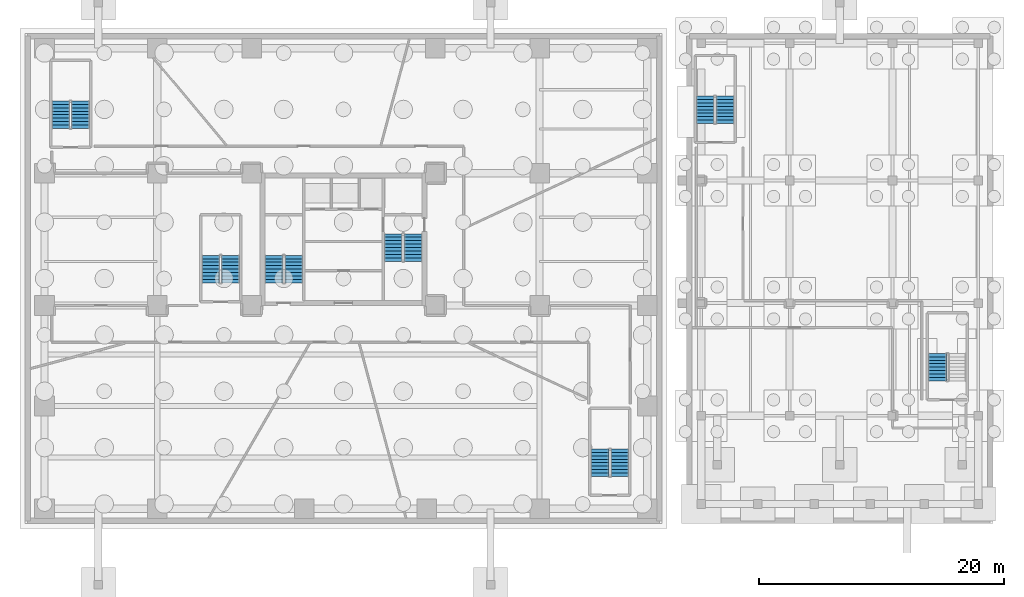
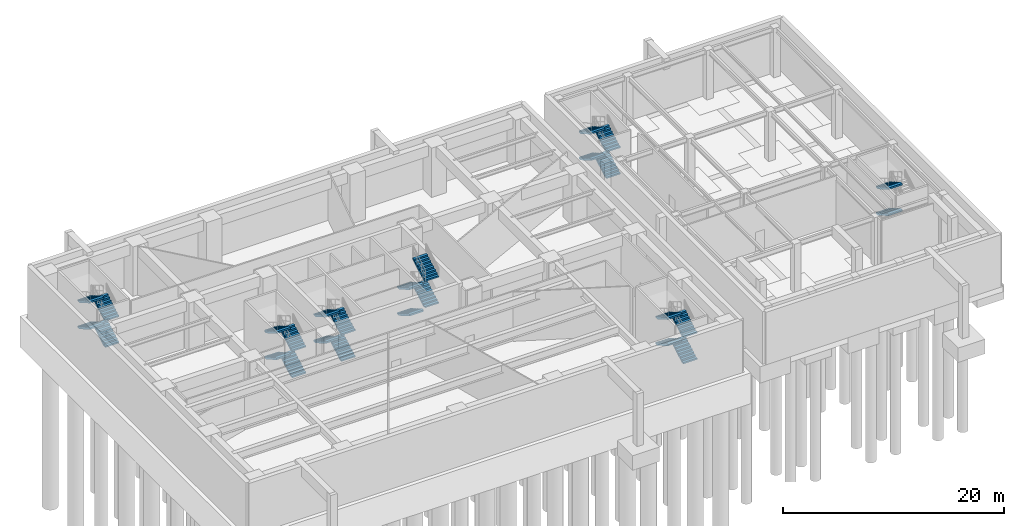
# One storey, part 9 of 15: 26 stair flights, 7 elements without a shape of their own.
"""IFC4 building model written with IfcOpenShell, lengths in metres."""

from ifc_helpers import new_model, si_unit, direction, frame, origin, place, context, subcontext, project, spatial, polyline, outline, extrude, material, layer, layer_set, type_object, element, aggregate, save


model = new_model("IFC4")

# Units and contexts
model_context = context("Model", 3, precision=1e-05, world=origin(), true_north=direction((0.0, 1.0)))
body_context = subcontext(model_context, "Body", "Model", "MODEL_VIEW")
ifc_project = project(units=[si_unit("LENGTHUNIT", "METRE"), si_unit("AREAUNIT", "SQUARE_METRE"), si_unit("VOLUMEUNIT", "CUBIC_METRE"), si_unit("PLANEANGLEUNIT", "RADIAN"), si_unit("MASSUNIT", "GRAM", prefix="KILO")], contexts=[model_context])

# Site, building, storey
site_placement = place(None, origin())
site = spatial("IfcSite", under=ifc_project, at=site_placement, CompositionType="ELEMENT")
building_placement = place(site_placement, origin())
building = spatial("IfcBuilding", under=site, at=building_placement, Name="Talar Marvaseh", CompositionType="ELEMENT")
storey_placement = place(building_placement, frame((0.0, 0.0, -11.60009765625)))
storey = spatial("IfcBuildingStorey", under=building, at=storey_placement, Name="B02", CompositionType="ELEMENT", Elevation=-11.60009765625)

# Stair, stair flights
ifc_material = material(Name="Concrete C40/50", Category="concrete")
stair_type = type_object("IfcStairType", Name="Reinforced Concrete Half-Turn Exit Stair Type A", PredefinedType="HALF_TURN_STAIR", material=ifc_material)
stair_1_placement = place(storey_placement, origin())
stair_1 = element("IfcStair", 1, at=stair_1_placement, inside=storey, type_object=stair_type, Name="B02 Tower West Core Exit Stair", PredefinedType="HALF_TURN_STAIR")
ifc_layer = layer(ifc_material, 0.18505859375)
ifc_layer_set = layer_set([ifc_layer], Name="Concrete C40/50")
stair_flight_type = type_object("IfcStairFlightType", Name="Reinforced Concrete Heavy Podium Stair Flight 185", PredefinedType="STRAIGHT", material=ifc_layer_set)
stair_flight_1_placement = place(storey_placement, frame((21.93505859375, 27.64990234375, 0.0), z_axis=(0.0, 0.0, 1.0), x_axis=(0.0, 1.0, 0.0)))
stair_flight_1 = element("IfcStairFlight", 2, at=stair_flight_1_placement, type_object=stair_flight_type, Name="ST-1 flight 1", NumberOfRisers=9, NumberOfTreads=8, PredefinedType="STRAIGHT", RiserHeight=0.161111111, TreadLength=0.28, context=body_context, shape_type="SweptSolid", body=[
    extrude(outline(polyline([(0.0, 0.0), (0.0, 0.1611328125), (0.280029296875, 0.1611328125), (0.280029296875, 0.322265625), (0.56005859375, 0.322265625), (0.56005859375, 0.4833984375), (0.840087890625, 0.4833984375), (0.840087890625, 0.64453125), (1.1201171875, 0.64453125), (1.1201171875, 0.8056640625), (1.39990234375, 0.8056640625), (1.39990234375, 0.966552734375), (1.679931640625, 0.966552734375), (1.679931640625, 1.127685546875), (1.9599609375, 1.127685546875), (1.9599609375, 1.288818359375), (2.239990234375, 1.288818359375), (2.239990234375, 1.449951171875), (2.239990234375, 1.1044921875), (0.320556640625, 0.0), (0.0, 0.0)])), frame((0.0, 0.72509765625, 0.0), z_axis=(0.0, -1.0, 0.0), x_axis=(1.0, 0.0, 0.0)), (0.0, 0.0, 1.0), 1.449951171875),
])
stair_flight_2_placement = place(storey_placement, frame((20.324951171875, 29.889892578125, 1.4501953125), z_axis=(0.0, 0.0, 1.0), x_axis=(0.0, -1.0, 0.0)))
stair_flight_2 = element("IfcStairFlight", 3, at=stair_flight_2_placement, type_object=stair_flight_type, Name="ST-1 flight 2", NumberOfRisers=9, NumberOfTreads=8, PredefinedType="STRAIGHT", RiserHeight=0.161111111, TreadLength=0.28, context=body_context, shape_type="SweptSolid", body=[
    extrude(outline(polyline([(0.0, 0.0), (0.0, 0.1611328125), (0.280029296875, 0.1611328125), (0.280029296875, 0.322265625), (0.56005859375, 0.322265625), (0.56005859375, 0.4833984375), (0.840087890625, 0.4833984375), (0.840087890625, 0.64453125), (1.1201171875, 0.64453125), (1.1201171875, 0.8056640625), (1.39990234375, 0.8056640625), (1.39990234375, 0.966552734375), (1.679931640625, 0.966552734375), (1.679931640625, 1.127685546875), (1.9599609375, 1.127685546875), (1.9599609375, 1.288818359375), (2.239990234375, 1.288818359375), (2.239990234375, 1.449951171875), (2.239990234375, 1.1044921875), (0.320556640625, 0.0), (0.0, 0.0)])), frame((0.0, 0.72509765625, 0.0), z_axis=(0.0, -1.0, 0.0), x_axis=(1.0, 0.0, 0.0)), (0.0, 0.0, 1.0), 1.449951171875),
])
stair_flight_3_placement = place(storey_placement, frame((21.93505859375, 27.64990234375, 2.900146484375), z_axis=(0.0, 0.0, 1.0), x_axis=(0.0, 1.0, 0.0)))
stair_flight_3 = element("IfcStairFlight", 4, at=stair_flight_3_placement, type_object=stair_flight_type, Name="ST-1 flight 3", NumberOfRisers=9, NumberOfTreads=8, PredefinedType="STRAIGHT", RiserHeight=0.161111111, TreadLength=0.28, context=body_context, shape_type="SweptSolid", body=[
    extrude(outline(polyline([(0.0, 0.0), (0.0, 0.1611328125), (0.280029296875, 0.1611328125), (0.280029296875, 0.322265625), (0.56005859375, 0.322265625), (0.56005859375, 0.4833984375), (0.840087890625, 0.4833984375), (0.840087890625, 0.64453125), (1.1201171875, 0.64453125), (1.1201171875, 0.8056640625), (1.39990234375, 0.8056640625), (1.39990234375, 0.966552734375), (1.679931640625, 0.966552734375), (1.679931640625, 1.127685546875), (1.9599609375, 1.127685546875), (1.9599609375, 1.288818359375), (2.239990234375, 1.288818359375), (2.239990234375, 1.449951171875), (2.239990234375, 1.1044921875), (0.320556640625, 0.0), (0.0, 0.0)])), frame((0.0, 0.72509765625, 0.0), z_axis=(0.0, -1.0, 0.0), x_axis=(1.0, 0.0, 0.0)), (0.0, 0.0, 1.0), 1.449951171875),
])
stair_flight_4_placement = place(storey_placement, frame((20.324951171875, 29.889892578125, 4.35009765625), z_axis=(0.0, 0.0, 1.0), x_axis=(0.0, -1.0, 0.0)))
stair_flight_4 = element("IfcStairFlight", 5, at=stair_flight_4_placement, type_object=stair_flight_type, Name="ST-1 flight 4", NumberOfRisers=9, NumberOfTreads=8, PredefinedType="STRAIGHT", RiserHeight=0.161111111, TreadLength=0.28, context=body_context, shape_type="SweptSolid", body=[
    extrude(outline(polyline([(0.0, 0.0), (0.0, 0.1611328125), (0.280029296875, 0.1611328125), (0.280029296875, 0.322265625), (0.56005859375, 0.322265625), (0.56005859375, 0.4833984375), (0.840087890625, 0.4833984375), (0.840087890625, 0.64453125), (1.1201171875, 0.64453125), (1.1201171875, 0.8056640625), (1.39990234375, 0.8056640625), (1.39990234375, 0.966552734375), (1.679931640625, 0.966552734375), (1.679931640625, 1.127685546875), (1.9599609375, 1.127685546875), (1.9599609375, 1.288818359375), (2.239990234375, 1.288818359375), (2.239990234375, 1.449951171875), (2.239990234375, 1.1044921875), (0.320556640625, 0.0), (0.0, 0.0)])), frame((0.0, 0.72509765625, 0.0), z_axis=(0.0, -1.0, 0.0), x_axis=(1.0, 0.0, 0.0)), (0.0, 0.0, 1.0), 1.449951171875),
])
aggregate(stair_1, [stair_flight_1, stair_flight_2, stair_flight_3, stair_flight_4])

stair_2_placement = place(storey_placement, origin())
stair_2 = element("IfcStair", 6, at=stair_2_placement, inside=storey, type_object=stair_type, Name="B02 Tower East Core Exit Stair", PredefinedType="HALF_TURN_STAIR")
stair_flight_5_placement = place(storey_placement, frame((30.06494140625, 31.64990234375, 0.0), z_axis=(0.0, 0.0, 1.0), x_axis=(0.0, -1.0, 0.0)))
stair_flight_5 = element("IfcStairFlight", 7, at=stair_flight_5_placement, type_object=stair_flight_type, Name="ST-2 flight 1", NumberOfRisers=9, NumberOfTreads=8, PredefinedType="STRAIGHT", RiserHeight=0.161111111, TreadLength=0.28, context=body_context, shape_type="SweptSolid", body=[
    extrude(outline(polyline([(0.0, 0.0), (0.0, 0.1611328125), (0.280029296875, 0.1611328125), (0.280029296875, 0.322265625), (0.56005859375, 0.322265625), (0.56005859375, 0.4833984375), (0.840087890625, 0.4833984375), (0.840087890625, 0.64453125), (1.1201171875, 0.64453125), (1.1201171875, 0.8056640625), (1.39990234375, 0.8056640625), (1.39990234375, 0.966552734375), (1.679931640625, 0.966552734375), (1.679931640625, 1.127685546875), (1.9599609375, 1.127685546875), (1.9599609375, 1.288818359375), (2.239990234375, 1.288818359375), (2.239990234375, 1.449951171875), (2.239990234375, 1.1044921875), (0.320556640625, 0.0), (0.0, 0.0)])), frame((0.0, 0.72509765625, 0.0), z_axis=(0.0, -1.0, 0.0), x_axis=(1.0, 0.0, 0.0)), (0.0, 0.0, 1.0), 1.449951171875),
])
stair_flight_6_placement = place(storey_placement, frame((31.675048828125, 29.409912109375, 1.4501953125), z_axis=(0.0, 0.0, 1.0), x_axis=(0.0, 1.0, 0.0)))
stair_flight_6 = element("IfcStairFlight", 8, at=stair_flight_6_placement, type_object=stair_flight_type, Name="ST-2 flight 2", NumberOfRisers=9, NumberOfTreads=8, PredefinedType="STRAIGHT", RiserHeight=0.161111111, TreadLength=0.28, context=body_context, shape_type="SweptSolid", body=[
    extrude(outline(polyline([(0.0, 0.0), (0.0, 0.1611328125), (0.280029296875, 0.1611328125), (0.280029296875, 0.322265625), (0.56005859375, 0.322265625), (0.56005859375, 0.4833984375), (0.840087890625, 0.4833984375), (0.840087890625, 0.64453125), (1.1201171875, 0.64453125), (1.1201171875, 0.8056640625), (1.39990234375, 0.8056640625), (1.39990234375, 0.966552734375), (1.679931640625, 0.966552734375), (1.679931640625, 1.127685546875), (1.9599609375, 1.127685546875), (1.9599609375, 1.288818359375), (2.239990234375, 1.288818359375), (2.239990234375, 1.449951171875), (2.239990234375, 1.1044921875), (0.320556640625, 0.0), (0.0, 0.0)])), frame((0.0, 0.72509765625, 0.0), z_axis=(0.0, -1.0, 0.0), x_axis=(1.0, 0.0, 0.0)), (0.0, 0.0, 1.0), 1.449951171875),
])
stair_flight_7_placement = place(storey_placement, frame((30.06494140625, 31.64990234375, 2.900146484375), z_axis=(0.0, 0.0, 1.0), x_axis=(0.0, -1.0, 0.0)))
stair_flight_7 = element("IfcStairFlight", 9, at=stair_flight_7_placement, type_object=stair_flight_type, Name="ST-2 flight 3", NumberOfRisers=9, NumberOfTreads=8, PredefinedType="STRAIGHT", RiserHeight=0.161111111, TreadLength=0.28, context=body_context, shape_type="SweptSolid", body=[
    extrude(outline(polyline([(0.0, 0.0), (0.0, 0.1611328125), (0.280029296875, 0.1611328125), (0.280029296875, 0.322265625), (0.56005859375, 0.322265625), (0.56005859375, 0.4833984375), (0.840087890625, 0.4833984375), (0.840087890625, 0.64453125), (1.1201171875, 0.64453125), (1.1201171875, 0.8056640625), (1.39990234375, 0.8056640625), (1.39990234375, 0.966552734375), (1.679931640625, 0.966552734375), (1.679931640625, 1.127685546875), (1.9599609375, 1.127685546875), (1.9599609375, 1.288818359375), (2.239990234375, 1.288818359375), (2.239990234375, 1.449951171875), (2.239990234375, 1.1044921875), (0.320556640625, 0.0), (0.0, 0.0)])), frame((0.0, 0.72509765625, 0.0), z_axis=(0.0, -1.0, 0.0), x_axis=(1.0, 0.0, 0.0)), (0.0, 0.0, 1.0), 1.449951171875),
])
stair_flight_8_placement = place(storey_placement, frame((31.675048828125, 29.409912109375, 4.35009765625), z_axis=(0.0, 0.0, 1.0), x_axis=(0.0, 1.0, 0.0)))
stair_flight_8 = element("IfcStairFlight", 10, at=stair_flight_8_placement, type_object=stair_flight_type, Name="ST-2 flight 4", NumberOfRisers=9, NumberOfTreads=8, PredefinedType="STRAIGHT", RiserHeight=0.161111111, TreadLength=0.28, context=body_context, shape_type="SweptSolid", body=[
    extrude(outline(polyline([(0.0, 0.0), (0.0, 0.1611328125), (0.280029296875, 0.1611328125), (0.280029296875, 0.322265625), (0.56005859375, 0.322265625), (0.56005859375, 0.4833984375), (0.840087890625, 0.4833984375), (0.840087890625, 0.64453125), (1.1201171875, 0.64453125), (1.1201171875, 0.8056640625), (1.39990234375, 0.8056640625), (1.39990234375, 0.966552734375), (1.679931640625, 0.966552734375), (1.679931640625, 1.127685546875), (1.9599609375, 1.127685546875), (1.9599609375, 1.288818359375), (2.239990234375, 1.288818359375), (2.239990234375, 1.449951171875), (2.239990234375, 1.1044921875), (0.320556640625, 0.0), (0.0, 0.0)])), frame((0.0, 0.72509765625, 0.0), z_axis=(0.0, -1.0, 0.0), x_axis=(1.0, 0.0, 0.0)), (0.0, 0.0, 1.0), 1.449951171875),
])
aggregate(stair_2, [stair_flight_5, stair_flight_6, stair_flight_7, stair_flight_8])

stair_3_placement = place(storey_placement, origin())
stair_3 = element("IfcStair", 11, at=stair_3_placement, inside=storey, type_object=stair_type, Name="B02 Museum & Podium Auxiliary Exit Stair", PredefinedType="HALF_TURN_STAIR")
stair_flight_9_placement = place(storey_placement, frame((16.77490234375, 27.64990234375, 0.0), z_axis=(0.0, 0.0, 1.0), x_axis=(0.0, 1.0, 0.0)))
stair_flight_9 = element("IfcStairFlight", 12, at=stair_flight_9_placement, type_object=stair_flight_type, Name="ST-3 flight 1", NumberOfRisers=9, NumberOfTreads=8, PredefinedType="STRAIGHT", RiserHeight=0.161111111, TreadLength=0.28, context=body_context, shape_type="SweptSolid", body=[
    extrude(outline(polyline([(0.0, 0.0), (0.0, 0.1611328125), (0.280029296875, 0.1611328125), (0.280029296875, 0.322265625), (0.56005859375, 0.322265625), (0.56005859375, 0.4833984375), (0.840087890625, 0.4833984375), (0.840087890625, 0.64453125), (1.1201171875, 0.64453125), (1.1201171875, 0.8056640625), (1.39990234375, 0.8056640625), (1.39990234375, 0.966552734375), (1.679931640625, 0.966552734375), (1.679931640625, 1.127685546875), (1.9599609375, 1.127685546875), (1.9599609375, 1.288818359375), (2.239990234375, 1.288818359375), (2.239990234375, 1.449951171875), (2.239990234375, 1.1044921875), (0.320556640625, 0.0), (0.0, 0.0)])), frame((0.0, 0.72509765625, 0.0), z_axis=(0.0, -1.0, 0.0), x_axis=(1.0, 0.0, 0.0)), (0.0, 0.0, 1.0), 1.449951171875),
])
stair_flight_10_placement = place(storey_placement, frame((15.1650390625, 29.889892578125, 1.4501953125), z_axis=(0.0, 0.0, 1.0), x_axis=(0.0, -1.0, 0.0)))
stair_flight_10 = element("IfcStairFlight", 13, at=stair_flight_10_placement, type_object=stair_flight_type, Name="ST-3 flight 2", NumberOfRisers=9, NumberOfTreads=8, PredefinedType="STRAIGHT", RiserHeight=0.161111111, TreadLength=0.28, context=body_context, shape_type="SweptSolid", body=[
    extrude(outline(polyline([(0.0, 0.0), (0.0, 0.1611328125), (0.280029296875, 0.1611328125), (0.280029296875, 0.322265625), (0.56005859375, 0.322265625), (0.56005859375, 0.4833984375), (0.840087890625, 0.4833984375), (0.840087890625, 0.64453125), (1.1201171875, 0.64453125), (1.1201171875, 0.8056640625), (1.39990234375, 0.8056640625), (1.39990234375, 0.966552734375), (1.679931640625, 0.966552734375), (1.679931640625, 1.127685546875), (1.9599609375, 1.127685546875), (1.9599609375, 1.288818359375), (2.239990234375, 1.288818359375), (2.239990234375, 1.449951171875), (2.239990234375, 1.1044921875), (0.320556640625, 0.0), (0.0, 0.0)])), frame((0.0, 0.72509765625, 0.0), z_axis=(0.0, -1.0, 0.0), x_axis=(1.0, 0.0, 0.0)), (0.0, 0.0, 1.0), 1.449951171875),
])
stair_flight_11_placement = place(storey_placement, frame((16.77490234375, 27.64990234375, 2.900146484375), z_axis=(0.0, 0.0, 1.0), x_axis=(0.0, 1.0, 0.0)))
stair_flight_11 = element("IfcStairFlight", 14, at=stair_flight_11_placement, type_object=stair_flight_type, Name="ST-3 flight 3", NumberOfRisers=9, NumberOfTreads=8, PredefinedType="STRAIGHT", RiserHeight=0.161111111, TreadLength=0.28, context=body_context, shape_type="SweptSolid", body=[
    extrude(outline(polyline([(0.0, 0.0), (0.0, 0.1611328125), (0.280029296875, 0.1611328125), (0.280029296875, 0.322265625), (0.56005859375, 0.322265625), (0.56005859375, 0.4833984375), (0.840087890625, 0.4833984375), (0.840087890625, 0.64453125), (1.1201171875, 0.64453125), (1.1201171875, 0.8056640625), (1.39990234375, 0.8056640625), (1.39990234375, 0.966552734375), (1.679931640625, 0.966552734375), (1.679931640625, 1.127685546875), (1.9599609375, 1.127685546875), (1.9599609375, 1.288818359375), (2.239990234375, 1.288818359375), (2.239990234375, 1.449951171875), (2.239990234375, 1.1044921875), (0.320556640625, 0.0), (0.0, 0.0)])), frame((0.0, 0.72509765625, 0.0), z_axis=(0.0, -1.0, 0.0), x_axis=(1.0, 0.0, 0.0)), (0.0, 0.0, 1.0), 1.449951171875),
])
stair_flight_12_placement = place(storey_placement, frame((15.1650390625, 29.889892578125, 4.35009765625), z_axis=(0.0, 0.0, 1.0), x_axis=(0.0, -1.0, 0.0)))
stair_flight_12 = element("IfcStairFlight", 15, at=stair_flight_12_placement, type_object=stair_flight_type, Name="ST-3 flight 4", NumberOfRisers=9, NumberOfTreads=8, PredefinedType="STRAIGHT", RiserHeight=0.161111111, TreadLength=0.28, context=body_context, shape_type="SweptSolid", body=[
    extrude(outline(polyline([(0.0, 0.0), (0.0, 0.1611328125), (0.280029296875, 0.1611328125), (0.280029296875, 0.322265625), (0.56005859375, 0.322265625), (0.56005859375, 0.4833984375), (0.840087890625, 0.4833984375), (0.840087890625, 0.64453125), (1.1201171875, 0.64453125), (1.1201171875, 0.8056640625), (1.39990234375, 0.8056640625), (1.39990234375, 0.966552734375), (1.679931640625, 0.966552734375), (1.679931640625, 1.127685546875), (1.9599609375, 1.127685546875), (1.9599609375, 1.288818359375), (2.239990234375, 1.288818359375), (2.239990234375, 1.449951171875), (2.239990234375, 1.1044921875), (0.320556640625, 0.0), (0.0, 0.0)])), frame((0.0, 0.72509765625, 0.0), z_axis=(0.0, -1.0, 0.0), x_axis=(1.0, 0.0, 0.0)), (0.0, 0.0, 1.0), 1.449951171875),
])
aggregate(stair_3, [stair_flight_9, stair_flight_10, stair_flight_11, stair_flight_12])

stair_4_placement = place(storey_placement, origin())
stair_4 = element("IfcStair", 16, at=stair_4_placement, inside=storey, type_object=stair_type, Name="B02 Market Hall North-West Exit Stair", PredefinedType="HALF_TURN_STAIR")
stair_flight_13_placement = place(storey_placement, frame((57.135009765625, 40.64990234375, 0.0), z_axis=(0.0, 0.0, 1.0), x_axis=(0.0, 1.0, 0.0)))
stair_flight_13 = element("IfcStairFlight", 17, at=stair_flight_13_placement, type_object=stair_flight_type, Name="MH-ST1 flight 1", NumberOfRisers=9, NumberOfTreads=8, PredefinedType="STRAIGHT", RiserHeight=0.161111111, TreadLength=0.28, context=body_context, shape_type="SweptSolid", body=[
    extrude(outline(polyline([(0.0, 0.0), (0.0, 0.1611328125), (0.280029296875, 0.1611328125), (0.280029296875, 0.322265625), (0.56005859375, 0.322265625), (0.56005859375, 0.4833984375), (0.840087890625, 0.4833984375), (0.840087890625, 0.64453125), (1.1201171875, 0.64453125), (1.1201171875, 0.8056640625), (1.39990234375, 0.8056640625), (1.39990234375, 0.966552734375), (1.679931640625, 0.966552734375), (1.679931640625, 1.127685546875), (1.9599609375, 1.127685546875), (1.9599609375, 1.288818359375), (2.239990234375, 1.288818359375), (2.239990234375, 1.449951171875), (2.239990234375, 1.1044921875), (0.320556640625, 0.0), (0.0, 0.0)])), frame((0.0, 0.72509765625, 0.0), z_axis=(0.0, -1.0, 0.0), x_axis=(1.0, 0.0, 0.0)), (0.0, 0.0, 1.0), 1.449951171875),
])
stair_flight_14_placement = place(storey_placement, frame((55.52490234375, 42.889892578125, 1.4501953125), z_axis=(0.0, 0.0, 1.0), x_axis=(0.0, -1.0, 0.0)))
stair_flight_14 = element("IfcStairFlight", 18, at=stair_flight_14_placement, type_object=stair_flight_type, Name="MH-ST1 flight 2", NumberOfRisers=9, NumberOfTreads=8, PredefinedType="STRAIGHT", RiserHeight=0.161111111, TreadLength=0.28, context=body_context, shape_type="SweptSolid", body=[
    extrude(outline(polyline([(0.0, 0.0), (0.0, 0.1611328125), (0.280029296875, 0.1611328125), (0.280029296875, 0.322265625), (0.56005859375, 0.322265625), (0.56005859375, 0.4833984375), (0.840087890625, 0.4833984375), (0.840087890625, 0.64453125), (1.1201171875, 0.64453125), (1.1201171875, 0.8056640625), (1.39990234375, 0.8056640625), (1.39990234375, 0.966552734375), (1.679931640625, 0.966552734375), (1.679931640625, 1.127685546875), (1.9599609375, 1.127685546875), (1.9599609375, 1.288818359375), (2.239990234375, 1.288818359375), (2.239990234375, 1.449951171875), (2.239990234375, 1.1044921875), (0.320556640625, 0.0), (0.0, 0.0)])), frame((0.0, 0.72509765625, 0.0), z_axis=(0.0, -1.0, 0.0), x_axis=(1.0, 0.0, 0.0)), (0.0, 0.0, 1.0), 1.449951171875),
])
stair_flight_15_placement = place(storey_placement, frame((57.135009765625, 40.64990234375, 2.900146484375), z_axis=(0.0, 0.0, 1.0), x_axis=(0.0, 1.0, 0.0)))
stair_flight_15 = element("IfcStairFlight", 19, at=stair_flight_15_placement, type_object=stair_flight_type, Name="MH-ST1 flight 3", NumberOfRisers=9, NumberOfTreads=8, PredefinedType="STRAIGHT", RiserHeight=0.161111111, TreadLength=0.28, context=body_context, shape_type="SweptSolid", body=[
    extrude(outline(polyline([(0.0, 0.0), (0.0, 0.1611328125), (0.280029296875, 0.1611328125), (0.280029296875, 0.322265625), (0.56005859375, 0.322265625), (0.56005859375, 0.4833984375), (0.840087890625, 0.4833984375), (0.840087890625, 0.64453125), (1.1201171875, 0.64453125), (1.1201171875, 0.8056640625), (1.39990234375, 0.8056640625), (1.39990234375, 0.966552734375), (1.679931640625, 0.966552734375), (1.679931640625, 1.127685546875), (1.9599609375, 1.127685546875), (1.9599609375, 1.288818359375), (2.239990234375, 1.288818359375), (2.239990234375, 1.449951171875), (2.239990234375, 1.1044921875), (0.320556640625, 0.0), (0.0, 0.0)])), frame((0.0, 0.72509765625, 0.0), z_axis=(0.0, -1.0, 0.0), x_axis=(1.0, 0.0, 0.0)), (0.0, 0.0, 1.0), 1.449951171875),
])
stair_flight_16_placement = place(storey_placement, frame((55.52490234375, 42.889892578125, 4.35009765625), z_axis=(0.0, 0.0, 1.0), x_axis=(0.0, -1.0, 0.0)))
stair_flight_16 = element("IfcStairFlight", 20, at=stair_flight_16_placement, type_object=stair_flight_type, Name="MH-ST1 flight 4", NumberOfRisers=9, NumberOfTreads=8, PredefinedType="STRAIGHT", RiserHeight=0.161111111, TreadLength=0.28, context=body_context, shape_type="SweptSolid", body=[
    extrude(outline(polyline([(0.0, 0.0), (0.0, 0.1611328125), (0.280029296875, 0.1611328125), (0.280029296875, 0.322265625), (0.56005859375, 0.322265625), (0.56005859375, 0.4833984375), (0.840087890625, 0.4833984375), (0.840087890625, 0.64453125), (1.1201171875, 0.64453125), (1.1201171875, 0.8056640625), (1.39990234375, 0.8056640625), (1.39990234375, 0.966552734375), (1.679931640625, 0.966552734375), (1.679931640625, 1.127685546875), (1.9599609375, 1.127685546875), (1.9599609375, 1.288818359375), (2.239990234375, 1.288818359375), (2.239990234375, 1.449951171875), (2.239990234375, 1.1044921875), (0.320556640625, 0.0), (0.0, 0.0)])), frame((0.0, 0.72509765625, 0.0), z_axis=(0.0, -1.0, 0.0), x_axis=(1.0, 0.0, 0.0)), (0.0, 0.0, 1.0), 1.449951171875),
])
aggregate(stair_4, [stair_flight_13, stair_flight_14, stair_flight_15, stair_flight_16])

stair_5_placement = place(storey_placement, origin())
stair_5 = element("IfcStair", 21, at=stair_5_placement, inside=storey, type_object=stair_type, Name="B02 Market Hall South-East Exit Stair", PredefinedType="HALF_TURN_STAIR")
stair_flight_17_placement = place(storey_placement, frame((74.465087890625, 21.889892578125, 1.4501953125), z_axis=(0.0, 0.0, 1.0), x_axis=(0.0, -1.0, 0.0)))
stair_flight_17 = element("IfcStairFlight", 22, at=stair_flight_17_placement, type_object=stair_flight_type, Name="MH-ST2 flight 2", NumberOfRisers=9, NumberOfTreads=8, PredefinedType="STRAIGHT", RiserHeight=0.161111111, TreadLength=0.28, context=body_context, shape_type="SweptSolid", body=[
    extrude(outline(polyline([(0.0, 0.0), (0.0, 0.1611328125), (0.280029296875, 0.1611328125), (0.280029296875, 0.322265625), (0.56005859375, 0.322265625), (0.56005859375, 0.4833984375), (0.840087890625, 0.4833984375), (0.840087890625, 0.64453125), (1.1201171875, 0.64453125), (1.1201171875, 0.8056640625), (1.39990234375, 0.8056640625), (1.39990234375, 0.966552734375), (1.679931640625, 0.966552734375), (1.679931640625, 1.127685546875), (1.9599609375, 1.127685546875), (1.9599609375, 1.288818359375), (2.239990234375, 1.288818359375), (2.239990234375, 1.449951171875), (2.239990234375, 1.1044921875), (0.320556640625, 0.0), (0.0, 0.0)])), frame((0.0, 0.72509765625, 0.0), z_axis=(0.0, -1.0, 0.0), x_axis=(1.0, 0.0, 0.0)), (0.0, 0.0, 1.0), 1.449951171875),
])
stair_flight_18_placement = place(storey_placement, frame((74.465087890625, 21.889892578125, 4.35009765625), z_axis=(0.0, 0.0, 1.0), x_axis=(0.0, -1.0, 0.0)))
stair_flight_18 = element("IfcStairFlight", 23, at=stair_flight_18_placement, type_object=stair_flight_type, Name="MH-ST2 flight 4", NumberOfRisers=9, NumberOfTreads=8, PredefinedType="STRAIGHT", RiserHeight=0.161111111, TreadLength=0.28, context=body_context, shape_type="SweptSolid", body=[
    extrude(outline(polyline([(0.0, 0.0), (0.0, 0.1611328125), (0.280029296875, 0.1611328125), (0.280029296875, 0.322265625), (0.56005859375, 0.322265625), (0.56005859375, 0.4833984375), (0.840087890625, 0.4833984375), (0.840087890625, 0.64453125), (1.1201171875, 0.64453125), (1.1201171875, 0.8056640625), (1.39990234375, 0.8056640625), (1.39990234375, 0.966552734375), (1.679931640625, 0.966552734375), (1.679931640625, 1.127685546875), (1.9599609375, 1.127685546875), (1.9599609375, 1.288818359375), (2.239990234375, 1.288818359375), (2.239990234375, 1.449951171875), (2.239990234375, 1.1044921875), (0.320556640625, 0.0), (0.0, 0.0)])), frame((0.0, 0.72509765625, 0.0), z_axis=(0.0, -1.0, 0.0), x_axis=(1.0, 0.0, 0.0)), (0.0, 0.0, 1.0), 1.449951171875),
])
aggregate(stair_5, [stair_flight_17, stair_flight_18])

stair_6_placement = place(storey_placement, origin())
stair_6 = element("IfcStair", 24, at=stair_6_placement, inside=storey, type_object=stair_type, Name="B02 Metro Station North-West Exit Stair", PredefinedType="HALF_TURN_STAIR")
stair_flight_19_placement = place(storey_placement, frame((4.534912109375, 40.25, 0.0), z_axis=(0.0, 0.0, 1.0), x_axis=(0.0, 1.0, 0.0)))
stair_flight_19 = element("IfcStairFlight", 25, at=stair_flight_19_placement, type_object=stair_flight_type, Name="STN-ST1 flight 1", NumberOfRisers=9, NumberOfTreads=8, PredefinedType="STRAIGHT", RiserHeight=0.161111111, TreadLength=0.28, context=body_context, shape_type="SweptSolid", body=[
    extrude(outline(polyline([(0.0, 0.0), (0.0, 0.1611328125), (0.280029296875, 0.1611328125), (0.280029296875, 0.322265625), (0.56005859375, 0.322265625), (0.56005859375, 0.4833984375), (0.840087890625, 0.4833984375), (0.840087890625, 0.64453125), (1.1201171875, 0.64453125), (1.1201171875, 0.8056640625), (1.39990234375, 0.8056640625), (1.39990234375, 0.966552734375), (1.679931640625, 0.966552734375), (1.679931640625, 1.127685546875), (1.9599609375, 1.127685546875), (1.9599609375, 1.288818359375), (2.239990234375, 1.288818359375), (2.239990234375, 1.449951171875), (2.239990234375, 1.1044921875), (0.320556640625, 0.0), (0.0, 0.0)])), frame((0.0, 0.72509765625, 0.0), z_axis=(0.0, -1.0, 0.0), x_axis=(1.0, 0.0, 0.0)), (0.0, 0.0, 1.0), 1.449951171875),
])
stair_flight_20_placement = place(storey_placement, frame((2.925048828125, 42.489990234375, 1.4501953125), z_axis=(0.0, 0.0, 1.0), x_axis=(0.0, -1.0, 0.0)))
stair_flight_20 = element("IfcStairFlight", 26, at=stair_flight_20_placement, type_object=stair_flight_type, Name="STN-ST1 flight 2", NumberOfRisers=9, NumberOfTreads=8, PredefinedType="STRAIGHT", RiserHeight=0.161111111, TreadLength=0.28, context=body_context, shape_type="SweptSolid", body=[
    extrude(outline(polyline([(0.0, 0.0), (0.0, 0.1611328125), (0.280029296875, 0.1611328125), (0.280029296875, 0.322265625), (0.56005859375, 0.322265625), (0.56005859375, 0.4833984375), (0.840087890625, 0.4833984375), (0.840087890625, 0.64453125), (1.1201171875, 0.64453125), (1.1201171875, 0.8056640625), (1.39990234375, 0.8056640625), (1.39990234375, 0.966552734375), (1.679931640625, 0.966552734375), (1.679931640625, 1.127685546875), (1.9599609375, 1.127685546875), (1.9599609375, 1.288818359375), (2.239990234375, 1.288818359375), (2.239990234375, 1.449951171875), (2.239990234375, 1.1044921875), (0.320556640625, 0.0), (0.0, 0.0)])), frame((0.0, 0.72509765625, 0.0), z_axis=(0.0, -1.0, 0.0), x_axis=(1.0, 0.0, 0.0)), (0.0, 0.0, 1.0), 1.449951171875),
])
stair_flight_21_placement = place(storey_placement, frame((4.534912109375, 40.25, 2.900146484375), z_axis=(0.0, 0.0, 1.0), x_axis=(0.0, 1.0, 0.0)))
stair_flight_21 = element("IfcStairFlight", 27, at=stair_flight_21_placement, type_object=stair_flight_type, Name="STN-ST1 flight 3", NumberOfRisers=9, NumberOfTreads=8, PredefinedType="STRAIGHT", RiserHeight=0.161111111, TreadLength=0.28, context=body_context, shape_type="SweptSolid", body=[
    extrude(outline(polyline([(0.0, 0.0), (0.0, 0.1611328125), (0.280029296875, 0.1611328125), (0.280029296875, 0.322265625), (0.56005859375, 0.322265625), (0.56005859375, 0.4833984375), (0.840087890625, 0.4833984375), (0.840087890625, 0.64453125), (1.1201171875, 0.64453125), (1.1201171875, 0.8056640625), (1.39990234375, 0.8056640625), (1.39990234375, 0.966552734375), (1.679931640625, 0.966552734375), (1.679931640625, 1.127685546875), (1.9599609375, 1.127685546875), (1.9599609375, 1.288818359375), (2.239990234375, 1.288818359375), (2.239990234375, 1.449951171875), (2.239990234375, 1.1044921875), (0.320556640625, 0.0), (0.0, 0.0)])), frame((0.0, 0.72509765625, 0.0), z_axis=(0.0, -1.0, 0.0), x_axis=(1.0, 0.0, 0.0)), (0.0, 0.0, 1.0), 1.449951171875),
])
stair_flight_22_placement = place(storey_placement, frame((2.925048828125, 42.489990234375, 4.35009765625), z_axis=(0.0, 0.0, 1.0), x_axis=(0.0, -1.0, 0.0)))
stair_flight_22 = element("IfcStairFlight", 28, at=stair_flight_22_placement, type_object=stair_flight_type, Name="STN-ST1 flight 4", NumberOfRisers=9, NumberOfTreads=8, PredefinedType="STRAIGHT", RiserHeight=0.161111111, TreadLength=0.28, context=body_context, shape_type="SweptSolid", body=[
    extrude(outline(polyline([(0.0, 0.0), (0.0, 0.1611328125), (0.280029296875, 0.1611328125), (0.280029296875, 0.322265625), (0.56005859375, 0.322265625), (0.56005859375, 0.4833984375), (0.840087890625, 0.4833984375), (0.840087890625, 0.64453125), (1.1201171875, 0.64453125), (1.1201171875, 0.8056640625), (1.39990234375, 0.8056640625), (1.39990234375, 0.966552734375), (1.679931640625, 0.966552734375), (1.679931640625, 1.127685546875), (1.9599609375, 1.127685546875), (1.9599609375, 1.288818359375), (2.239990234375, 1.288818359375), (2.239990234375, 1.449951171875), (2.239990234375, 1.1044921875), (0.320556640625, 0.0), (0.0, 0.0)])), frame((0.0, 0.72509765625, 0.0), z_axis=(0.0, -1.0, 0.0), x_axis=(1.0, 0.0, 0.0)), (0.0, 0.0, 1.0), 1.449951171875),
])
aggregate(stair_6, [stair_flight_19, stair_flight_20, stair_flight_21, stair_flight_22])

stair_7_placement = place(storey_placement, origin())
stair_7 = element("IfcStair", 29, at=stair_7_placement, inside=storey, type_object=stair_type, Name="B02 Metro Station South-East Exit Stair", PredefinedType="HALF_TURN_STAIR")
stair_flight_23_placement = place(storey_placement, frame((48.534912109375, 11.85009765625, 0.0), z_axis=(0.0, 0.0, 1.0), x_axis=(0.0, 1.0, 0.0)))
stair_flight_23 = element("IfcStairFlight", 30, at=stair_flight_23_placement, type_object=stair_flight_type, Name="STN-ST2 flight 1", NumberOfRisers=9, NumberOfTreads=8, PredefinedType="STRAIGHT", RiserHeight=0.161111111, TreadLength=0.28, context=body_context, shape_type="SweptSolid", body=[
    extrude(outline(polyline([(0.0, 0.0), (0.0, 0.1611328125), (0.280029296875, 0.1611328125), (0.280029296875, 0.322265625), (0.56005859375, 0.322265625), (0.56005859375, 0.4833984375), (0.840087890625, 0.4833984375), (0.840087890625, 0.64453125), (1.1201171875, 0.64453125), (1.1201171875, 0.8056640625), (1.39990234375, 0.8056640625), (1.39990234375, 0.966552734375), (1.679931640625, 0.966552734375), (1.679931640625, 1.127685546875), (1.9599609375, 1.127685546875), (1.9599609375, 1.288818359375), (2.239990234375, 1.288818359375), (2.239990234375, 1.449951171875), (2.239990234375, 1.1044921875), (0.320556640625, 0.0), (0.0, 0.0)])), frame((0.0, 0.72509765625, 0.0), z_axis=(0.0, -1.0, 0.0), x_axis=(1.0, 0.0, 0.0)), (0.0, 0.0, 1.0), 1.449951171875),
])
stair_flight_24_placement = place(storey_placement, frame((46.925048828125, 14.090087890625, 1.4501953125), z_axis=(0.0, 0.0, 1.0), x_axis=(0.0, -1.0, 0.0)))
stair_flight_24 = element("IfcStairFlight", 31, at=stair_flight_24_placement, type_object=stair_flight_type, Name="STN-ST2 flight 2", NumberOfRisers=9, NumberOfTreads=8, PredefinedType="STRAIGHT", RiserHeight=0.161111111, TreadLength=0.28, context=body_context, shape_type="SweptSolid", body=[
    extrude(outline(polyline([(0.0, 0.0), (0.0, 0.1611328125), (0.280029296875, 0.1611328125), (0.280029296875, 0.322265625), (0.56005859375, 0.322265625), (0.56005859375, 0.4833984375), (0.840087890625, 0.4833984375), (0.840087890625, 0.64453125), (1.1201171875, 0.64453125), (1.1201171875, 0.8056640625), (1.39990234375, 0.8056640625), (1.39990234375, 0.966552734375), (1.679931640625, 0.966552734375), (1.679931640625, 1.127685546875), (1.9599609375, 1.127685546875), (1.9599609375, 1.288818359375), (2.239990234375, 1.288818359375), (2.239990234375, 1.449951171875), (2.239990234375, 1.1044921875), (0.320556640625, 0.0), (0.0, 0.0)])), frame((0.0, 0.72509765625, 0.0), z_axis=(0.0, -1.0, 0.0), x_axis=(1.0, 0.0, 0.0)), (0.0, 0.0, 1.0), 1.449951171875),
])
stair_flight_25_placement = place(storey_placement, frame((48.534912109375, 11.85009765625, 2.900146484375), z_axis=(0.0, 0.0, 1.0), x_axis=(0.0, 1.0, 0.0)))
stair_flight_25 = element("IfcStairFlight", 32, at=stair_flight_25_placement, type_object=stair_flight_type, Name="STN-ST2 flight 3", NumberOfRisers=9, NumberOfTreads=8, PredefinedType="STRAIGHT", RiserHeight=0.161111111, TreadLength=0.28, context=body_context, shape_type="SweptSolid", body=[
    extrude(outline(polyline([(0.0, 0.0), (0.0, 0.1611328125), (0.280029296875, 0.1611328125), (0.280029296875, 0.322265625), (0.56005859375, 0.322265625), (0.56005859375, 0.4833984375), (0.840087890625, 0.4833984375), (0.840087890625, 0.64453125), (1.1201171875, 0.64453125), (1.1201171875, 0.8056640625), (1.39990234375, 0.8056640625), (1.39990234375, 0.966552734375), (1.679931640625, 0.966552734375), (1.679931640625, 1.127685546875), (1.9599609375, 1.127685546875), (1.9599609375, 1.288818359375), (2.239990234375, 1.288818359375), (2.239990234375, 1.449951171875), (2.239990234375, 1.1044921875), (0.320556640625, 0.0), (0.0, 0.0)])), frame((0.0, 0.72509765625, 0.0), z_axis=(0.0, -1.0, 0.0), x_axis=(1.0, 0.0, 0.0)), (0.0, 0.0, 1.0), 1.449951171875),
])
stair_flight_26_placement = place(storey_placement, frame((46.925048828125, 14.090087890625, 4.35009765625), z_axis=(0.0, 0.0, 1.0), x_axis=(0.0, -1.0, 0.0)))
stair_flight_26 = element("IfcStairFlight", 33, at=stair_flight_26_placement, type_object=stair_flight_type, Name="STN-ST2 flight 4", NumberOfRisers=9, NumberOfTreads=8, PredefinedType="STRAIGHT", RiserHeight=0.161111111, TreadLength=0.28, context=body_context, shape_type="SweptSolid", body=[
    extrude(outline(polyline([(0.0, 0.0), (0.0, 0.1611328125), (0.280029296875, 0.1611328125), (0.280029296875, 0.322265625), (0.56005859375, 0.322265625), (0.56005859375, 0.4833984375), (0.840087890625, 0.4833984375), (0.840087890625, 0.64453125), (1.1201171875, 0.64453125), (1.1201171875, 0.8056640625), (1.39990234375, 0.8056640625), (1.39990234375, 0.966552734375), (1.679931640625, 0.966552734375), (1.679931640625, 1.127685546875), (1.9599609375, 1.127685546875), (1.9599609375, 1.288818359375), (2.239990234375, 1.288818359375), (2.239990234375, 1.449951171875), (2.239990234375, 1.1044921875), (0.320556640625, 0.0), (0.0, 0.0)])), frame((0.0, 0.72509765625, 0.0), z_axis=(0.0, -1.0, 0.0), x_axis=(1.0, 0.0, 0.0)), (0.0, 0.0, 1.0), 1.449951171875),
])
aggregate(stair_7, [stair_flight_23, stair_flight_24, stair_flight_25, stair_flight_26])

save(model, "model.ifc")
